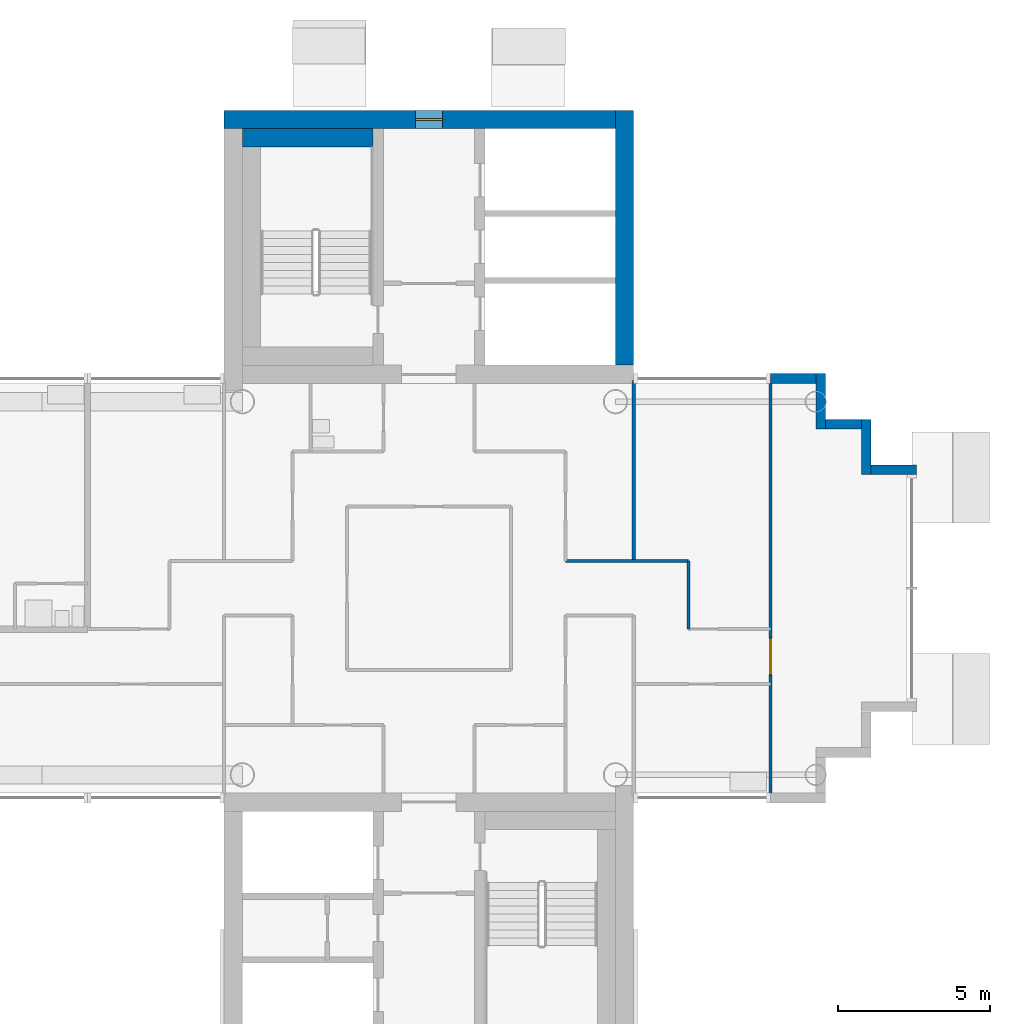
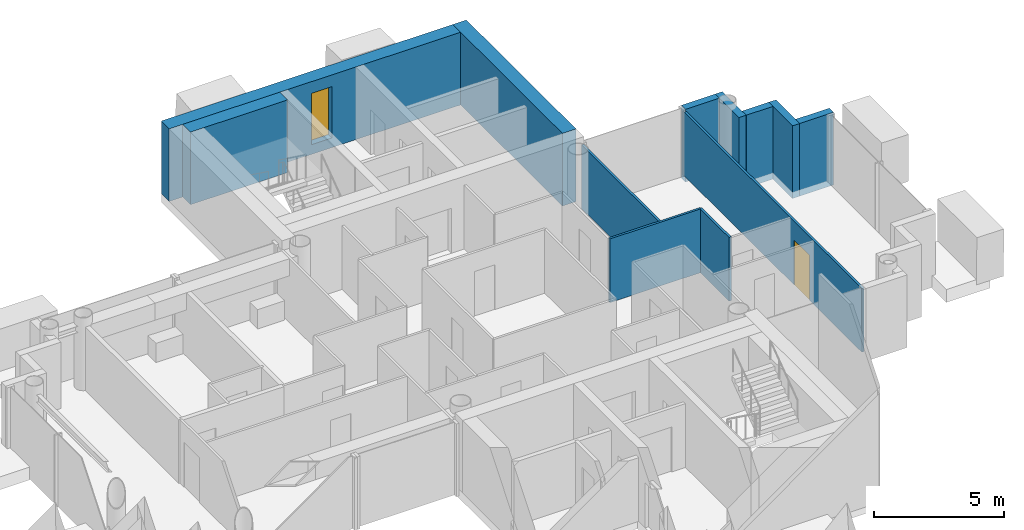
# One storey, part 11 of 18: 12 walls, 1 door, 1 window, 2 openings.
"""IFC4 building model written with IfcOpenShell, lengths in metres."""

from ifc_helpers import new_model, si_unit, direction, frame, frame_2d, origin, place, context, subcontext, project, spatial, rectangle, extrude, material, layer, layer_set, type_object, element, fill, save


model = new_model("IFC4")

# Units and contexts
model_context = context("Model", 3, precision=1e-05, world=origin(), true_north=direction((0.0, 1.0)))
body_context = subcontext(model_context, "Body", "Model", "MODEL_VIEW")
ifc_project = project(units=[si_unit("LENGTHUNIT", "METRE"), si_unit("AREAUNIT", "SQUARE_METRE"), si_unit("VOLUMEUNIT", "CUBIC_METRE"), si_unit("PLANEANGLEUNIT", "RADIAN"), si_unit("MASSUNIT", "GRAM", prefix="KILO")], contexts=[model_context])

# Site, building, storey
site_placement = place(None, origin())
site = spatial("IfcSite", under=ifc_project, at=site_placement, CompositionType="ELEMENT")
building_placement = place(site_placement, origin())
building = spatial("IfcBuilding", under=site, at=building_placement, Name="Ipe Terrace Towers", CompositionType="ELEMENT")
storey_placement = place(building_placement, frame((0.0, 0.0, 230.0)))
storey = spatial("IfcBuildingStorey", under=building, at=storey_placement, Name="L64", CompositionType="ELEMENT", Elevation=230.0)

# Walls
ifc_material_1 = material(Name="Concrete C40/50 with buff precast cladding", Category="concrete")
ifc_layer_1 = layer(ifc_material_1, 0.320068359375)
ifc_layer_set_1 = layer_set([ifc_layer_1], Name="BUFF CLADDING WALL 320")
wall_type_1 = type_object("IfcWallType", Name="BUFF CLADDING WALL 320", PredefinedType="STANDARD", material=ifc_layer_set_1)
wall_1_placement = place(storey_placement, frame((52.070068359375, 3.909912109375, -0.300048828125), z_axis=(0.0, 0.0, 1.0), x_axis=(-1.0, 0.0, 0.0)))
element("IfcWall", 1, at=wall_1_placement, inside=storey, type_object=wall_type_1, Name="T2-W-L64-09a wall", PredefinedType="STANDARD", context=body_context, shape_type="SweptSolid", body=[
    extrude(rectangle(XDim=1.5, YDim=0.320068359375, at=frame_2d((0.75, 0.0))), origin(), (0.0, 0.0, 1.0), 3.400146484375),
])
wall_2_placement = place(storey_placement, frame((50.409912109375, 3.75, -0.300048828125), z_axis=(0.0, 0.0, 1.0), x_axis=(0.0, 1.0, 0.0)))
element("IfcWall", 2, at=wall_2_placement, inside=storey, type_object=wall_type_1, Name="T2-W-L64-10a wall", PredefinedType="STANDARD", context=body_context, shape_type="SweptSolid", body=[
    extrude(rectangle(XDim=1.820068359375, YDim=0.320068359375, at=frame_2d((0.91015625, 0.0))), origin(), (0.0, 0.0, 1.0), 3.400146484375),
])
wall_3_placement = place(storey_placement, frame((50.25, 5.409912109375, -0.300048828125), z_axis=(0.0, 0.0, 1.0), x_axis=(-1.0, 0.0, 0.0)))
element("IfcWall", 3, at=wall_3_placement, inside=storey, type_object=wall_type_1, Name="T2-W-L64-11a wall", PredefinedType="STANDARD", context=body_context, shape_type="SweptSolid", body=[
    extrude(rectangle(XDim=1.179931640625, YDim=0.320068359375, at=frame_2d((0.58984375, 0.0))), origin(), (0.0, 0.0, 1.0), 3.400146484375),
])
wall_4_placement = place(storey_placement, frame((48.909912109375, 5.25, -0.300048828125), z_axis=(0.0, 0.0, 1.0), x_axis=(0.0, 1.0, 0.0)))
element("IfcWall", 4, at=wall_4_placement, inside=storey, type_object=wall_type_1, Name="T2-W-L64-12a wall", PredefinedType="STANDARD", context=body_context, shape_type="SweptSolid", body=[
    extrude(rectangle(XDim=1.820068359375, YDim=0.320068359375, at=frame_2d((0.91015625, 0.0))), origin(), (0.0, 0.0, 1.0), 3.400146484375),
])
wall_5_placement = place(storey_placement, frame((48.75, 6.909912109375, -0.300048828125), z_axis=(0.0, 0.0, 1.0), x_axis=(-1.0, 0.0, 0.0)))
element("IfcWall", 5, at=wall_5_placement, inside=storey, type_object=wall_type_1, Name="T2-W-L64-13a wall", PredefinedType="STANDARD", context=body_context, shape_type="SweptSolid", body=[
    extrude(rectangle(XDim=1.5, YDim=0.320068359375, at=frame_2d((0.75, 0.0))), origin(), (0.0, 0.0, 1.0), 3.400146484375),
])
ifc_material_2 = material(Name="Gypsum board partition", Category="plasterboard")
ifc_layer_2 = layer(ifc_material_2, 0.10009765625)
ifc_layer_set_2 = layer_set([ifc_layer_2], Name="Gypsum board partition 100 mm")
wall_type_2 = type_object("IfcWallType", Name="Gypsum board partition 100 mm", PredefinedType="PARTITIONING", material=ifc_layer_set_2)
wall_6_placement = place(storey_placement, frame((44.550048828125, 0.89990234375, 0.0), z_axis=(0.0, 0.0, 1.0), x_axis=(-1.0, 0.0, 0.0)))
element("IfcWall", 6, at=wall_6_placement, inside=storey, type_object=wall_type_2, Name="Gypsum board partition T2 L64 W12", PredefinedType="PARTITIONING", context=body_context, shape_type="SweptSolid", body=[
    extrude(rectangle(XDim=4.050048828125, YDim=0.10009765625, at=frame_2d((2.02490234375, 0.0))), origin(), (0.0, 0.0, 1.0), 2.97998046875),
])

# Wall, opening, door
wall_7_placement = place(storey_placement, frame((47.25, -6.85009765625, 0.0), z_axis=(0.0, 0.0, 1.0), x_axis=(0.0, 1.0, 0.0)))
wall_7 = element("IfcWall", 7, at=wall_7_placement, inside=storey, type_object=wall_type_2, Name="Gypsum board partition T2 L64 W17", PredefinedType="PARTITIONING", context=body_context, shape_type="SweptSolid", body=[
    extrude(rectangle(XDim=13.7001953125, YDim=0.10009765625, at=frame_2d((6.85009765625, 0.0))), origin(), (0.0, 0.0, 1.0), 2.97998046875),
])
opening_1_placement = place(wall_7_placement, frame((4.0, 0.0, 0.0)))
opening_1 = element("IfcOpeningElement", 8, at=opening_1_placement, cuts=wall_7, Name="Opening T2-Z4B-17", PredefinedType="OPENING", context=body_context, shape_type="SweptSolid", body=[
    extrude(rectangle(XDim=1.199951171875, YDim=2.10009765625, at=frame_2d((0.60009765625, 1.050048828125))), frame((0.0, 0.06005859375, 0.0), z_axis=(0.0, -1.0, 0.0), x_axis=(1.0, 0.0, 0.0)), (0.0, 0.0, 1.0), 0.1201171875),
])
ifc_material_3 = material(Name="Timber door leaf", Category="wood")
door_type = type_object("IfcDoorType", Name="Lounge door 1200 x 2100", OperationType="NOTDEFINED", PredefinedType="DOOR", material=ifc_material_3)
door_placement = place(opening_1_placement, origin())
door = element("IfcDoor", 9, at=door_placement, inside=storey, type_object=door_type, Name="Lounge door T2-Z4B-17", OperationType="SINGLE_SWING_LEFT", OverallHeight=2.10009765625, OverallWidth=1.199951171875, PredefinedType="DOOR", context=body_context, shape_type="SweptSolid", body=[
    extrude(rectangle(XDim=1.199951171875, YDim=2.10009765625, at=frame_2d((0.60009765625, 1.050048828125))), frame((0.0, 0.02490234375, 0.0), z_axis=(0.0, -1.0, 0.0), x_axis=(1.0, 0.0, 0.0)), (0.0, 0.0, 1.0), 0.050048828125),
])
fill(opening_1, door)

# Walls
wall_8_placement = place(storey_placement, frame((44.550048828125, -1.35009765625, 0.0), z_axis=(0.0, 0.0, 1.0), x_axis=(0.0, 1.0, 0.0)))
element("IfcWall", 10, at=wall_8_placement, inside=storey, type_object=wall_type_2, Name="Gypsum board partition T2 L64 W18", PredefinedType="PARTITIONING", context=body_context, shape_type="SweptSolid", body=[
    extrude(rectangle(XDim=2.25, YDim=0.10009765625, at=frame_2d((1.125, 0.0))), origin(), (0.0, 0.0, 1.0), 2.97998046875),
])
wall_9_placement = place(storey_placement, frame((42.75, 0.89990234375, 0.0), z_axis=(0.0, 0.0, 1.0), x_axis=(0.0, 1.0, 0.0)))
element("IfcWall", 11, at=wall_9_placement, inside=storey, type_object=wall_type_2, Name="Gypsum board partition T2 L64 W20", PredefinedType="PARTITIONING", context=body_context, shape_type="SweptSolid", body=[
    extrude(rectangle(XDim=5.9501953125, YDim=0.10009765625, at=frame_2d((2.97509765625, 0.0))), origin(), (0.0, 0.0, 1.0), 2.97998046875),
])
ifc_material_4 = material(Name="Concrete C40/50", Category="concrete")
ifc_layer_3 = layer(ifc_material_4, 0.60009765625)
ifc_layer_set_3 = layer_set([ifc_layer_3], Name="RW600 CORE INFILL WALL 600 C40-50")
wall_type_3 = type_object("IfcWallType", Name="RW600 CORE INFILL WALL 600 C40-50", PredefinedType="SHEAR", material=ifc_layer_set_3)
wall_10_placement = place(storey_placement, frame((34.14990234375, 14.85009765625, 0.0), z_axis=(0.0, 0.0, 1.0), x_axis=(-1.0, 0.0, 0.0)))
element("IfcWall", 12, at=wall_10_placement, inside=storey, type_object=wall_type_3, Name="Core infill wall T2-C1-far", PredefinedType="SHEAR", context=body_context, shape_type="SweptSolid", body=[
    extrude(rectangle(XDim=4.2998046875, YDim=0.60009765625, at=frame_2d((2.14990234375, 0.0))), origin(), (0.0, 0.0, 1.0), 3.39990234375),
])
ifc_material_5 = material(Name="Concrete C40/50", Category="concrete")
ifc_layer_4 = layer(ifc_material_5, 0.60009765625)
ifc_layer_set_4 = layer_set([ifc_layer_4], Name="RW600 CORE WALL 600 C40-50")
wall_type_4 = type_object("IfcWallType", Name="RW600 CORE WALL 600 C40-50", PredefinedType="SHEAR", material=ifc_layer_set_4)
wall_11_placement = place(storey_placement, frame((42.449951171875, 7.35009765625, 0.0), z_axis=(0.0, 0.0, 1.0), x_axis=(0.0, 1.0, 0.0)))
element("IfcWall", 13, at=wall_11_placement, inside=storey, type_object=wall_type_4, Name="Core wall T2-C1-Z4-W02", PredefinedType="SHEAR", context=body_context, shape_type="SweptSolid", body=[
    extrude(rectangle(XDim=8.39990234375, YDim=0.60009765625, at=frame_2d((4.199951171875, 0.0))), origin(), (0.0, 0.0, 1.0), 3.39990234375),
])

# Wall, opening, window
wall_12_placement = place(storey_placement, frame((42.14990234375, 15.449951171875, 0.0), z_axis=(0.0, 0.0, 1.0), x_axis=(-1.0, 0.0, 0.0)))
wall_12 = element("IfcWall", 14, at=wall_12_placement, inside=storey, type_object=wall_type_4, Name="Core wall T2-C1-Z4-W03", PredefinedType="SHEAR", context=body_context, shape_type="SweptSolid", body=[
    extrude(rectangle(XDim=12.89990234375, YDim=0.60009765625, at=frame_2d((6.449951171875, 0.0))), origin(), (0.0, 0.0, 1.0), 3.39990234375),
])
opening_2_placement = place(wall_12_placement, frame((5.699951171875, 0.0, 0.449951171875)))
opening_2 = element("IfcOpeningElement", 15, at=opening_2_placement, cuts=wall_12, Name="Opening T2-C1-W-01-L64", PredefinedType="OPENING", context=body_context, shape_type="SweptSolid", body=[
    extrude(rectangle(XDim=0.89990234375, YDim=2.39990234375, at=frame_2d((0.449951171875, 1.199951171875))), frame((0.0, 0.31005859375, 0.0), z_axis=(0.0, -1.0, 0.0), x_axis=(1.0, 0.0, 0.0)), (0.0, 0.0, 1.0), 0.6201171875),
])
ifc_material_6 = material(Name="Fire-resistant glazing EI 60", Category="glass")
window_type = type_object("IfcWindowType", Name="CORRIDOR END SLOT WINDOW 900 x 2400 EI 60", PartitioningType="SINGLE_PANEL", PredefinedType="WINDOW", material=ifc_material_6)
window_placement = place(opening_2_placement, origin())
window = element("IfcWindow", 16, at=window_placement, inside=storey, type_object=window_type, Name="W-01 window", OverallHeight=2.39990234375, OverallWidth=0.89990234375, PartitioningType="SINGLE_PANEL", PredefinedType="WINDOW", context=body_context, shape_type="SweptSolid", body=[
    extrude(rectangle(XDim=0.89990234375, YDim=2.39990234375, at=frame_2d((0.449951171875, 1.199951171875))), frame((0.0, 0.030029296875, 0.0), z_axis=(0.0, -1.0, 0.0), x_axis=(1.0, 0.0, 0.0)), (0.0, 0.0, 1.0), 0.06005859375),
])
fill(opening_2, window)

save(model, "model.ifc")
